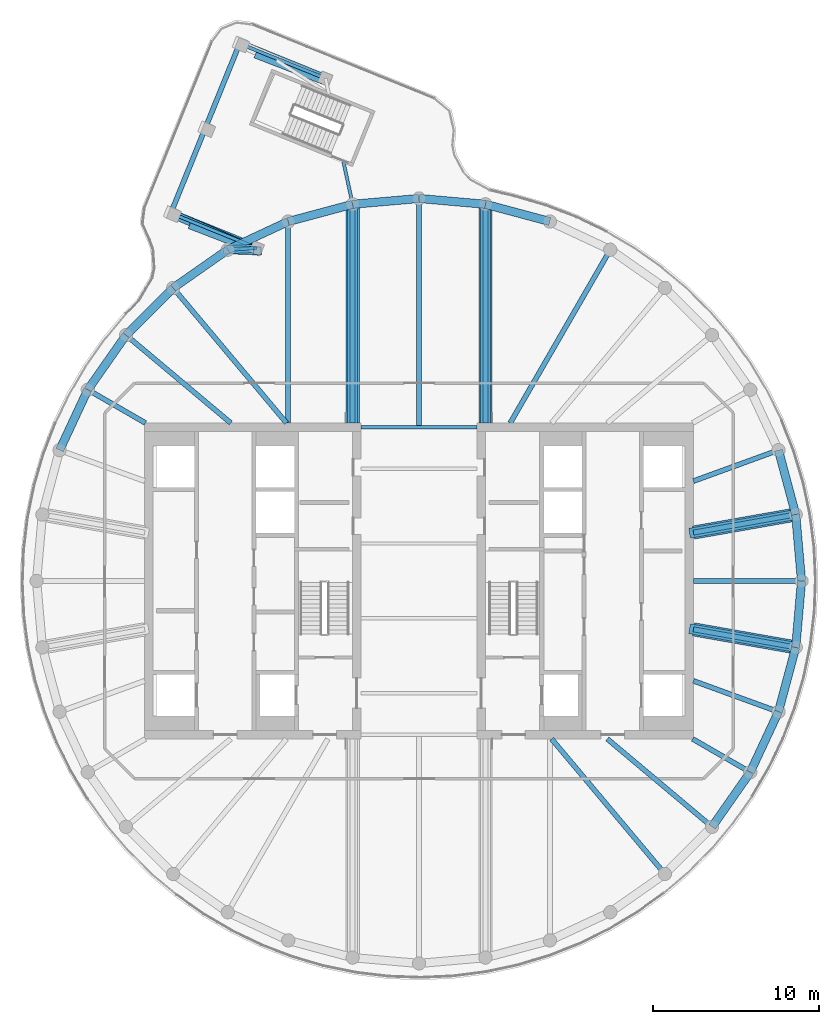
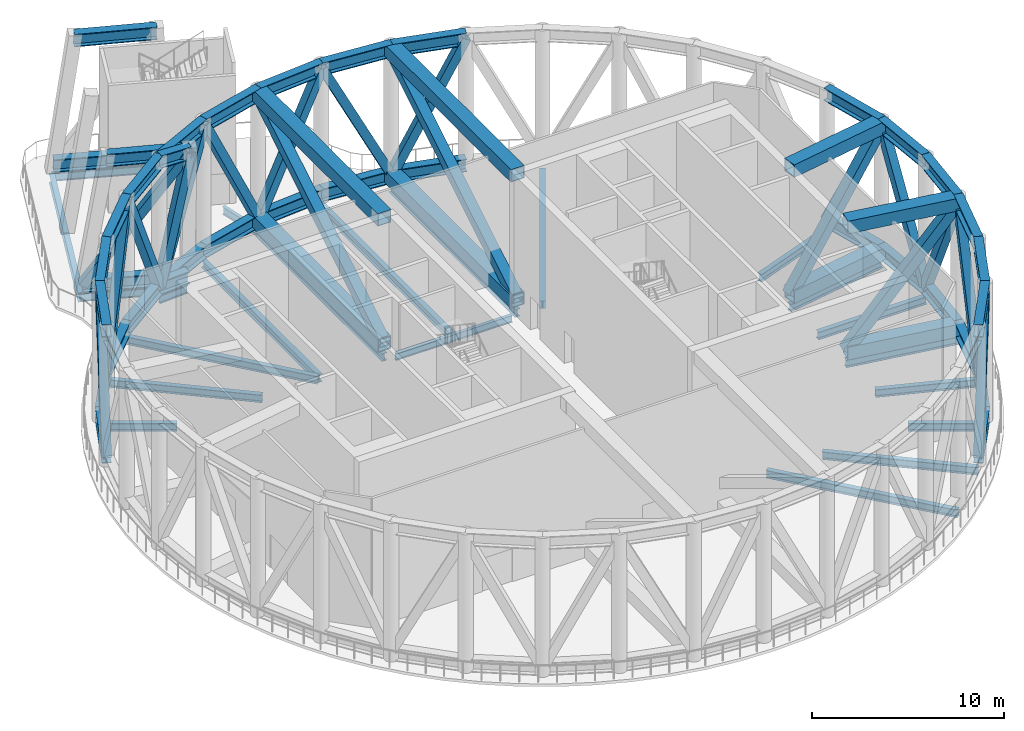
# One storey, part 2 of 10: 65 members, 23 beams.
"""IFC4 building model written with IfcOpenShell, lengths in metres."""

from ifc_helpers import new_model, si_unit, direction, frame, origin, origin_2d, place, context, subcontext, project, spatial, hollow_rectangle, i_section, extrude, material, material_profile, profile_set, type_object, element, save


model = new_model("IFC4")

# Units and contexts
model_context = context("Model", 3, precision=1e-05, world=origin(), true_north=direction((0.0, 1.0)))
body_context = subcontext(model_context, "Body", "Model", "MODEL_VIEW")
ifc_project = project(units=[si_unit("LENGTHUNIT", "METRE"), si_unit("AREAUNIT", "SQUARE_METRE"), si_unit("VOLUMEUNIT", "CUBIC_METRE"), si_unit("PLANEANGLEUNIT", "RADIAN"), si_unit("MASSUNIT", "GRAM", prefix="KILO")], contexts=[model_context])

# Site, building, storey
site_placement = place(None, origin())
site = spatial("IfcSite", under=ifc_project, at=site_placement, CompositionType="ELEMENT")
building_placement = place(site_placement, origin())
building = spatial("IfcBuilding", under=site, at=building_placement, Name="Tamarind Cross Interchange Tower", CompositionType="ELEMENT")
storey_placement = place(building_placement, frame((0.0, 0.0, 278.39990234375)))
storey = spatial("IfcBuildingStorey", under=building, at=storey_placement, Name="L71", CompositionType="ELEMENT", Elevation=278.39990234375)

# Beams
ifc_material_1 = material(Name="Steel Q355B", Category="steel")
ifc_material_profile_1 = material_profile(ifc_material_1, i_section(OverallWidth=0.300048828125, OverallDepth=0.488037109375, WebThickness=0.010986328125, FlangeThickness=0.01806640625, FilletRadius=0.01806640625, at=origin_2d()), Name="HM 488x300x11x18")
ifc_profile_set_1 = profile_set([ifc_material_profile_1], Name="Steel Q355B")
beam_type_1 = type_object("IfcBeamType", Name="Composite beam HM 488x300x11x18 Q355B", PredefinedType="BEAM", material=ifc_profile_set_1)
beam_1_placement = place(storey_placement, frame((23.0, 0.0, -0.423828125), z_axis=(-1.0, 0.0, 0.0), x_axis=(0.0, -1.0, 0.0)))
element("IfcBeam", 1, at=beam_1_placement, inside=storey, type_object=beam_type_1, Name="Beam HH00", PredefinedType="BEAM", context=body_context, shape_type="SweptSolid", body=[
    extrude(i_section(OverallWidth=0.300048828125, OverallDepth=0.488037109375, WebThickness=0.010986328125, FlangeThickness=0.01806640625, FilletRadius=0.01806640625, at=origin_2d()), origin(), (0.0, 0.0, 1.0), 6.5),
])
beam_2_placement = place(storey_placement, frame((22.650634765625, 3.993896484375, -0.423828125), z_axis=(-0.984809127561, -0.173640382036, 0.0), x_axis=(0.173640382036, -0.984809127561, 0.0)))
element("IfcBeam", 2, at=beam_2_placement, inside=storey, type_object=beam_type_1, Name="Beam HH01", PredefinedType="BEAM", context=body_context, shape_type="SweptSolid", body=[
    extrude(i_section(OverallWidth=0.300048828125, OverallDepth=0.488037109375, WebThickness=0.010986328125, FlangeThickness=0.01806640625, FilletRadius=0.01806640625, at=origin_2d()), origin(), (0.0, 0.0, 1.0), 6.24560546875),
])
beam_3_placement = place(storey_placement, frame((21.613037109375, 7.866455078125, -0.423828125), z_axis=(-0.939701685589, -0.341995236956, 0.0), x_axis=(0.341995236956, -0.939701685589, 0.0)))
element("IfcBeam", 3, at=beam_3_placement, inside=storey, type_object=beam_type_1, Name="Beam HH02", PredefinedType="BEAM", context=body_context, shape_type="SweptSolid", body=[
    extrude(i_section(OverallWidth=0.300048828125, OverallDepth=0.488037109375, WebThickness=0.010986328125, FlangeThickness=0.01806640625, FilletRadius=0.01806640625, at=origin_2d()), origin(), (0.0, 0.0, 1.0), 5.441162109375),
])
beam_4_placement = place(storey_placement, frame((11.5, 19.918701171875, -0.423828125), z_axis=(-0.499993565836, -0.866029118519, 0.0), x_axis=(0.866029118519, -0.499993565836, 0.0)))
element("IfcBeam", 4, at=beam_4_placement, inside=storey, type_object=beam_type_1, Name="Beam HH06", PredefinedType="BEAM", context=body_context, shape_type="SweptSolid", body=[
    extrude(i_section(OverallWidth=0.300048828125, OverallDepth=0.488037109375, WebThickness=0.010986328125, FlangeThickness=0.01806640625, FilletRadius=0.01806640625, at=origin_2d()), origin(), (0.0, 0.0, 1.0), 12.030517578125),
])
beam_5_placement = place(storey_placement, frame((3.993896484375, 22.650634765625, -0.423828125), z_axis=(0.0, -1.0, 0.0), x_axis=(1.0, 0.0, 0.0)))
element("IfcBeam", 5, at=beam_5_placement, inside=storey, type_object=beam_type_1, Name="Beam HH08", PredefinedType="BEAM", context=body_context, shape_type="SweptSolid", body=[
    extrude(i_section(OverallWidth=0.300048828125, OverallDepth=0.488037109375, WebThickness=0.010986328125, FlangeThickness=0.01806640625, FilletRadius=0.01806640625, at=origin_2d()), origin(), (0.0, 0.0, 1.0), 13.150634765625),
])
beam_6_placement = place(storey_placement, frame((0.0, 23.0, -0.423828125), z_axis=(0.0, -1.0, 0.0), x_axis=(1.0, 0.0, 0.0)))
element("IfcBeam", 6, at=beam_6_placement, inside=storey, type_object=beam_type_1, Name="Beam HH09", PredefinedType="BEAM", context=body_context, shape_type="SweptSolid", body=[
    extrude(i_section(OverallWidth=0.300048828125, OverallDepth=0.488037109375, WebThickness=0.010986328125, FlangeThickness=0.01806640625, FilletRadius=0.01806640625, at=origin_2d()), origin(), (0.0, 0.0, 1.0), 13.75),
])
beam_7_placement = place(storey_placement, frame((-3.993896484375, 22.650634765625, -0.423828125), z_axis=(0.0, -1.0, 0.0), x_axis=(1.0, 0.0, 0.0)))
element("IfcBeam", 7, at=beam_7_placement, inside=storey, type_object=beam_type_1, Name="Beam HH10", PredefinedType="BEAM", context=body_context, shape_type="SweptSolid", body=[
    extrude(i_section(OverallWidth=0.300048828125, OverallDepth=0.488037109375, WebThickness=0.010986328125, FlangeThickness=0.01806640625, FilletRadius=0.01806640625, at=origin_2d()), origin(), (0.0, 0.0, 1.0), 13.150634765625),
])
beam_8_placement = place(storey_placement, frame((-7.866455078125, 21.613037109375, -0.423828125), z_axis=(0.0, -1.0, 0.0), x_axis=(1.0, 0.0, 0.0)))
element("IfcBeam", 8, at=beam_8_placement, inside=storey, type_object=beam_type_1, Name="Beam HH11", PredefinedType="BEAM", context=body_context, shape_type="SweptSolid", body=[
    extrude(i_section(OverallWidth=0.300048828125, OverallDepth=0.488037109375, WebThickness=0.010986328125, FlangeThickness=0.01806640625, FilletRadius=0.01806640625, at=origin_2d()), origin(), (0.0, 0.0, 1.0), 12.113037109375),
])
beam_9_placement = place(storey_placement, frame((-14.7841796875, 17.619140625, -0.423828125), z_axis=(0.642786293979, -0.766045547127, 0.0), x_axis=(0.766045547127, 0.642786293979, 0.0)))
element("IfcBeam", 9, at=beam_9_placement, inside=storey, type_object=beam_type_1, Name="Beam HH13", PredefinedType="BEAM", context=body_context, shape_type="SweptSolid", body=[
    extrude(i_section(OverallWidth=0.300048828125, OverallDepth=0.488037109375, WebThickness=0.010986328125, FlangeThickness=0.01806640625, FilletRadius=0.01806640625, at=origin_2d()), origin(), (0.0, 0.0, 1.0), 10.598876953125),
])
beam_10_placement = place(storey_placement, frame((-17.619140625, 14.7841796875, -0.423828125), z_axis=(0.766040580814, -0.642792212574, 0.0), x_axis=(0.642792212574, 0.766040580814, 0.0)))
element("IfcBeam", 10, at=beam_10_placement, inside=storey, type_object=beam_type_1, Name="Beam HH14", PredefinedType="BEAM", context=body_context, shape_type="SweptSolid", body=[
    extrude(i_section(OverallWidth=0.300048828125, OverallDepth=0.488037109375, WebThickness=0.010986328125, FlangeThickness=0.01806640625, FilletRadius=0.01806640625, at=origin_2d()), origin(), (0.0, 0.0, 1.0), 8.220703125),
])
beam_11_placement = place(storey_placement, frame((-19.918701171875, 11.5, -0.423828125), z_axis=(0.866026010844, -0.49999894854, 0.0), x_axis=(0.49999894854, 0.866026010844, 0.0)))
element("IfcBeam", 11, at=beam_11_placement, inside=storey, type_object=beam_type_1, Name="Beam HH15", PredefinedType="BEAM", context=body_context, shape_type="SweptSolid", body=[
    extrude(i_section(OverallWidth=0.300048828125, OverallDepth=0.488037109375, WebThickness=0.010986328125, FlangeThickness=0.01806640625, FilletRadius=0.01806640625, at=origin_2d()), origin(), (0.0, 0.0, 1.0), 4.0),
])
beam_12_placement = place(storey_placement, frame((14.7841796875, -17.619140625, -0.423828125), z_axis=(-0.642786293979, 0.766045547127, 0.0), x_axis=(-0.766045547127, -0.642786293979, 0.0)))
element("IfcBeam", 12, at=beam_12_placement, inside=storey, type_object=beam_type_1, Name="Beam HH31", PredefinedType="BEAM", context=body_context, shape_type="SweptSolid", body=[
    extrude(i_section(OverallWidth=0.300048828125, OverallDepth=0.488037109375, WebThickness=0.010986328125, FlangeThickness=0.01806640625, FilletRadius=0.01806640625, at=origin_2d()), origin(), (0.0, 0.0, 1.0), 10.598876953125),
])
beam_13_placement = place(storey_placement, frame((17.619140625, -14.7841796875, -0.423828125), z_axis=(-0.766040580814, 0.642792212574, 0.0), x_axis=(-0.642792212574, -0.766040580814, 0.0)))
element("IfcBeam", 13, at=beam_13_placement, inside=storey, type_object=beam_type_1, Name="Beam HH32", PredefinedType="BEAM", context=body_context, shape_type="SweptSolid", body=[
    extrude(i_section(OverallWidth=0.300048828125, OverallDepth=0.488037109375, WebThickness=0.010986328125, FlangeThickness=0.01806640625, FilletRadius=0.01806640625, at=origin_2d()), origin(), (0.0, 0.0, 1.0), 8.220703125),
])
beam_14_placement = place(storey_placement, frame((19.918701171875, -11.5, -0.423828125), z_axis=(-0.866026010844, 0.49999894854, 0.0), x_axis=(-0.49999894854, -0.866026010844, 0.0)))
element("IfcBeam", 14, at=beam_14_placement, inside=storey, type_object=beam_type_1, Name="Beam HH33", PredefinedType="BEAM", context=body_context, shape_type="SweptSolid", body=[
    extrude(i_section(OverallWidth=0.300048828125, OverallDepth=0.488037109375, WebThickness=0.010986328125, FlangeThickness=0.01806640625, FilletRadius=0.01806640625, at=origin_2d()), origin(), (0.0, 0.0, 1.0), 4.0),
])
beam_15_placement = place(storey_placement, frame((21.613037109375, -7.866455078125, -0.423828125), z_axis=(-0.939701685589, 0.341995236956, 0.0), x_axis=(-0.341995236956, -0.939701685589, 0.0)))
element("IfcBeam", 15, at=beam_15_placement, inside=storey, type_object=beam_type_1, Name="Beam HH34", PredefinedType="BEAM", context=body_context, shape_type="SweptSolid", body=[
    extrude(i_section(OverallWidth=0.300048828125, OverallDepth=0.488037109375, WebThickness=0.010986328125, FlangeThickness=0.01806640625, FilletRadius=0.01806640625, at=origin_2d()), origin(), (0.0, 0.0, 1.0), 5.441162109375),
])
beam_16_placement = place(storey_placement, frame((22.650634765625, -3.993896484375, -0.423828125), z_axis=(-0.984809127561, 0.173640382036, 0.0), x_axis=(-0.173640382036, -0.984809127561, 0.0)))
element("IfcBeam", 16, at=beam_16_placement, inside=storey, type_object=beam_type_1, Name="Beam HH35", PredefinedType="BEAM", context=body_context, shape_type="SweptSolid", body=[
    extrude(i_section(OverallWidth=0.300048828125, OverallDepth=0.488037109375, WebThickness=0.010986328125, FlangeThickness=0.01806640625, FilletRadius=0.01806640625, at=origin_2d()), origin(), (0.0, 0.0, 1.0), 6.24560546875),
])
ifc_material_profile_2 = material_profile(ifc_material_1, i_section(OverallWidth=0.300048828125, OverallDepth=0.58203125, WebThickness=0.011962890625, FlangeThickness=0.01708984375, FilletRadius=0.01806640625, at=origin_2d()), Name="HM 582x300x12x17")
ifc_profile_set_2 = profile_set([ifc_material_profile_2], Name="Steel Q355B")
beam_type_2 = type_object("IfcBeamType", Name="Composite beam HM 582x300x12x17 Q355B", PredefinedType="BEAM", material=ifc_profile_set_2)
for number, where, z_axis, x_axis, name in (
    (17, (-10.788330078125, 32.313720703125, -0.470947265625), (-0.376016253668, -0.926613067562, 0.0), (0.926613067562, -0.376016253668, 0.0), "Beam N-tip0"),
    (18, (-12.8564453125, 27.21728515625, -0.470947265625), (-0.37606983293, -0.926591323486, 0.0), (0.926591323486, -0.37606983293, 0.0), "Beam N-tip1"),
):
    element("IfcBeam", number, at=place(storey_placement, frame(where, z_axis=z_axis, x_axis=x_axis)), inside=storey, type_object=beam_type_2, Name=name, PredefinedType="BEAM", context=body_context, shape_type="SweptSolid", body=[
        extrude(i_section(OverallWidth=0.300048828125, OverallDepth=0.58203125, WebThickness=0.011962890625, FlangeThickness=0.01708984375, FilletRadius=0.01806640625, at=origin_2d()), origin(), (0.0, 0.0, 1.0), 5.5),
    ])
ifc_material_profile_3 = material_profile(ifc_material_1, i_section(OverallWidth=0.198974609375, OverallDepth=0.446044921875, WebThickness=0.008056640625, FlangeThickness=0.011962890625, FilletRadius=0.012939453125, at=origin_2d()), Name="HN 446x199x8x12")
ifc_profile_set_3 = profile_set([ifc_material_profile_3], Name="Steel Q355B")
beam_type_3 = type_object("IfcBeamType", Name="Composite beam HN 446x199x8x12 Q355B", PredefinedType="BEAM", material=ifc_profile_set_3)
beam_17_placement = place(storey_placement, frame((-3.5, 9.25, -0.40283203125), z_axis=(1.0, 0.0, 0.0), x_axis=(0.0, 1.0, 0.0)))
element("IfcBeam", 19, at=beam_17_placement, inside=storey, type_object=beam_type_3, Name="Beam G9.25", PredefinedType="BEAM", context=body_context, shape_type="SweptSolid", body=[
    extrude(i_section(OverallWidth=0.198974609375, OverallDepth=0.446044921875, WebThickness=0.008056640625, FlangeThickness=0.011962890625, FilletRadius=0.012939453125, at=origin_2d()), origin(), (0.0, 0.0, 1.0), 7.0),
])
ifc_material_profile_4 = material_profile(ifc_material_1, i_section(OverallWidth=0.198974609375, OverallDepth=0.49609375, WebThickness=0.009033203125, FlangeThickness=0.013916015625, FilletRadius=0.012939453125, at=origin_2d()), Name="HN 496x199x9x14")
ifc_profile_set_4 = profile_set([ifc_material_profile_4], Name="Steel Q355B")
beam_type_4 = type_object("IfcBeamType", Name="Composite beam HN 496x199x9x14 Q355B", PredefinedType="BEAM", material=ifc_profile_set_4)
for number, where, z_axis, x_axis, name in (
    (20, (-10.788330078125, 32.313720703125, -0.427978515625), (0.926601565197, -0.376044597587, 0.0), (0.376044597587, 0.926601565197, 0.0), "Beam N-edgeem4"),
    (21, (-14.9248046875, 22.12109375, -0.427978515625), (0.926601565197, -0.376044597587, 0.0), (0.376044597587, 0.926601565197, 0.0), "Beam N-edgeep2"),
):
    element("IfcBeam", number, at=place(storey_placement, frame(where, z_axis=z_axis, x_axis=x_axis)), inside=storey, type_object=beam_type_4, Name=name, PredefinedType="BEAM", context=body_context, shape_type="SweptSolid", body=[
        extrude(i_section(OverallWidth=0.198974609375, OverallDepth=0.49609375, WebThickness=0.009033203125, FlangeThickness=0.013916015625, FilletRadius=0.012939453125, at=origin_2d()), origin(), (0.0, 0.0, 1.0), 5.574951171875),
    ])
beam_18_placement = place(storey_placement, frame((-4.5537109375, 25.2509765625, -0.427978515625), z_axis=(0.210462961296, -0.977601831996, 0.0), x_axis=(0.977601831996, 0.210462961296, 0.0)))
element("IfcBeam", 22, at=beam_18_placement, inside=storey, type_object=beam_type_4, Name="Beam N-linkemt1", PredefinedType="BEAM", context=body_context, shape_type="SweptSolid", body=[
    extrude(i_section(OverallWidth=0.198974609375, OverallDepth=0.49609375, WebThickness=0.009033203125, FlangeThickness=0.013916015625, FilletRadius=0.012939453125, at=origin_2d()), origin(), (0.0, 0.0, 1.0), 2.659912109375),
])
beam_19_placement = place(storey_placement, frame((-9.759033203125, 20.024658203125, -0.427978515625), z_axis=(-0.998153096762, -0.060748624877, 0.0), x_axis=(0.060748624877, -0.998153096762, 0.0)))
element("IfcBeam", 23, at=beam_19_placement, inside=storey, type_object=beam_type_4, Name="Beam N-linkep", PredefinedType="BEAM", context=body_context, shape_type="SweptSolid", body=[
    extrude(i_section(OverallWidth=0.198974609375, OverallDepth=0.49609375, WebThickness=0.009033203125, FlangeThickness=0.013916015625, FilletRadius=0.012939453125, at=origin_2d()), origin(), (0.0, 0.0, 1.0), 1.744140625),
])

# Members
ifc_material_2 = material(Name="Steel Q420B", Category="steel")
ifc_material_profile_5 = material_profile(ifc_material_2, i_section(OverallWidth=0.5, OverallDepth=0.800048828125, WebThickness=0.030029296875, FlangeThickness=0.050048828125, at=origin_2d()), Name="BH 800x500x30x50")
ifc_profile_set_5 = profile_set([ifc_material_profile_5], Name="Steel Q420B")
member_type_1 = type_object("IfcMemberType", Name="Truss chord BH 800x500x30x50 Q420B", PredefinedType="CHORD", material=ifc_profile_set_5)
for number, where, z_axis, x_axis, name in (
    (24, (23.0, 0.0, 8.400146484375), (-0.087142021558, 0.996195898445, 0.0), (-0.996195898445, -0.087142021558, 0.0), "Belt truss ring top H00"),
    (25, (23.0, 0.0, 0.400146484375), (-0.087142021558, 0.996195898445, 0.0), (-0.996195898445, -0.087142021558, 0.0), "Belt truss ring bottom H00"),
    (26, (22.650634765625, 3.993896484375, 8.400146484375), (-0.258807108475, 0.96592902462, 0.0), (-0.96592902462, -0.258807108475, 0.0), "Belt truss ring top H01"),
    (27, (22.650634765625, 3.993896484375, 0.400146484375), (-0.258807108475, 0.96592902462, 0.0), (-0.96592902462, -0.258807108475, 0.0), "Belt truss ring bottom H01"),
    (28, (7.866455078125, 21.613037109375, 8.400146484375), (-0.96592902462, 0.258807108475, 0.0), (-0.258807108475, -0.96592902462, 0.0), "Belt truss ring top H07"),
    (29, (7.866455078125, 21.613037109375, 0.400146484375), (-0.96592902462, 0.258807108475, 0.0), (-0.258807108475, -0.96592902462, 0.0), "Belt truss ring bottom H07"),
    (30, (3.993896484375, 22.650634765625, 8.400146484375), (-0.996195898445, 0.087142021558, 0.0), (-0.087142021558, -0.996195898445, 0.0), "Belt truss ring top H08"),
    (31, (3.993896484375, 22.650634765625, 0.400146484375), (-0.996195898445, 0.087142021558, 0.0), (-0.087142021558, -0.996195898445, 0.0), "Belt truss ring bottom H08"),
    (32, (0.0, 23.0, 8.400146484375), (-0.996195898445, -0.087142021558, 0.0), (0.087142021558, -0.996195898445, 0.0), "Belt truss ring top H09"),
    (33, (0.0, 23.0, 0.400146484375), (-0.996195898445, -0.087142021558, 0.0), (0.087142021558, -0.996195898445, 0.0), "Belt truss ring bottom H09"),
    (34, (-3.993896484375, 22.650634765625, 8.400146484375), (-0.96592902462, -0.258807108475, 0.0), (0.258807108475, -0.96592902462, 0.0), "Belt truss ring top H10"),
    (35, (-3.993896484375, 22.650634765625, 0.400146484375), (-0.96592902462, -0.258807108475, 0.0), (0.258807108475, -0.96592902462, 0.0), "Belt truss ring bottom H10"),
):
    element("IfcMember", number, at=place(storey_placement, frame(where, z_axis=z_axis, x_axis=x_axis)), inside=storey, type_object=member_type_1, Name=name, PredefinedType="CHORD", context=body_context, shape_type="SweptSolid", body=[
        extrude(i_section(OverallWidth=0.5, OverallDepth=0.800048828125, WebThickness=0.030029296875, FlangeThickness=0.050048828125, at=origin_2d()), origin(), (0.0, 0.0, 1.0), 4.009033203125),
    ])
for number, where, z_axis, x_axis, name in (
    (36, (-7.866455078125, 21.613037109375, 8.400146484375), (-0.906309113636, -0.422615416827, 0.0), (0.422615416827, -0.906309113636, 0.0), "Belt truss ring top H11"),
    (37, (-7.866455078125, 21.613037109375, 0.400146484375), (-0.906309113636, -0.422615416827, 0.0), (0.422615416827, -0.906309113636, 0.0), "Belt truss ring bottom H11"),
    (38, (-11.5, 19.918701171875, 8.400146484375), (-0.819157531998, -0.573568599011, 0.0), (0.573568599011, -0.819157531998, 0.0), "Belt truss ring top H12"),
    (39, (-11.5, 19.918701171875, 0.400146484375), (-0.819157531998, -0.573568599011, 0.0), (0.573568599011, -0.819157531998, 0.0), "Belt truss ring bottom H12"),
    (40, (-14.7841796875, 17.619140625, 8.400146484375), (-0.707106781187, -0.707106781187, 0.0), (0.707106781187, -0.707106781187, 0.0), "Belt truss ring top H13"),
    (41, (-14.7841796875, 17.619140625, 0.400146484375), (-0.707106781187, -0.707106781187, 0.0), (0.707106781187, -0.707106781187, 0.0), "Belt truss ring bottom H13"),
    (42, (-17.619140625, 14.7841796875, 8.400146484375), (-0.573568599011, -0.819157531998, 0.0), (0.819157531998, -0.573568599011, 0.0), "Belt truss ring top H14"),
    (43, (-17.619140625, 14.7841796875, 0.400146484375), (-0.573568599011, -0.819157531998, 0.0), (0.819157531998, -0.573568599011, 0.0), "Belt truss ring bottom H14"),
    (44, (-19.918701171875, 11.5, 8.400146484375), (-0.422615416827, -0.906309113636, 0.0), (0.906309113636, -0.422615416827, 0.0), "Belt truss ring top H15"),
    (45, (-19.918701171875, 11.5, 0.400146484375), (-0.422615416827, -0.906309113636, 0.0), (0.906309113636, -0.422615416827, 0.0), "Belt truss ring bottom H15"),
    (46, (17.619140625, -14.7841796875, 8.400146484375), (0.573568599011, 0.819157531998, 0.0), (-0.819157531998, 0.573568599011, 0.0), "Belt truss ring top H32"),
    (47, (17.619140625, -14.7841796875, 0.400146484375), (0.573568599011, 0.819157531998, 0.0), (-0.819157531998, 0.573568599011, 0.0), "Belt truss ring bottom H32"),
    (48, (19.918701171875, -11.5, 8.400146484375), (0.422615416827, 0.906309113636, 0.0), (-0.906309113636, 0.422615416827, 0.0), "Belt truss ring top H33"),
    (49, (19.918701171875, -11.5, 0.400146484375), (0.422615416827, 0.906309113636, 0.0), (-0.906309113636, 0.422615416827, 0.0), "Belt truss ring bottom H33"),
):
    element("IfcMember", number, at=place(storey_placement, frame(where, z_axis=z_axis, x_axis=x_axis)), inside=storey, type_object=member_type_1, Name=name, PredefinedType="CHORD", context=body_context, shape_type="SweptSolid", body=[
        extrude(i_section(OverallWidth=0.5, OverallDepth=0.800048828125, WebThickness=0.030029296875, FlangeThickness=0.050048828125, at=origin_2d()), origin(), (0.0, 0.0, 1.0), 4.00927734375),
    ])
for number, where, z_axis, x_axis, name in (
    (50, (21.613037109375, -7.866455078125, 8.400146484375), (0.258807108475, 0.96592902462, 0.0), (-0.96592902462, 0.258807108475, 0.0), "Belt truss ring top H34"),
    (51, (21.613037109375, -7.866455078125, 0.400146484375), (0.258807108475, 0.96592902462, 0.0), (-0.96592902462, 0.258807108475, 0.0), "Belt truss ring bottom H34"),
    (52, (22.650634765625, -3.993896484375, 8.400146484375), (0.087142021558, 0.996195898445, 0.0), (-0.996195898445, 0.087142021558, 0.0), "Belt truss ring top H35"),
    (53, (22.650634765625, -3.993896484375, 0.400146484375), (0.087142021558, 0.996195898445, 0.0), (-0.996195898445, 0.087142021558, 0.0), "Belt truss ring bottom H35"),
):
    element("IfcMember", number, at=place(storey_placement, frame(where, z_axis=z_axis, x_axis=x_axis)), inside=storey, type_object=member_type_1, Name=name, PredefinedType="CHORD", context=body_context, shape_type="SweptSolid", body=[
        extrude(i_section(OverallWidth=0.5, OverallDepth=0.800048828125, WebThickness=0.030029296875, FlangeThickness=0.050048828125, at=origin_2d()), origin(), (0.0, 0.0, 1.0), 4.009033203125),
    ])
member_1_placement = place(storey_placement, frame((-13.793701171875, 21.426025390625, 8.400146484375), z_axis=(0.93292675736, -0.360066195862, 0.0), x_axis=(0.360066195862, 0.93292675736, 0.0)))
element("IfcMember", 54, at=member_1_placement, inside=storey, type_object=member_type_1, Name="Belt truss arm Nep top", PredefinedType="CHORD", context=body_context, shape_type="SweptSolid", body=[
    extrude(i_section(OverallWidth=0.5, OverallDepth=0.800048828125, WebThickness=0.030029296875, FlangeThickness=0.050048828125, at=origin_2d()), origin(), (0.0, 0.0, 1.0), 4.36328125),
])
member_2_placement = place(storey_placement, frame((-14.84814453125, 22.073974609375, 0.400146484375), z_axis=(0.926951597798, -0.375180936802, 0.0), x_axis=(0.375180936802, 0.926951597798, 0.0)))
element("IfcMember", 55, at=member_2_placement, inside=storey, type_object=member_type_1, Name="Belt truss arm Nep bottom", PredefinedType="CHORD", context=body_context, shape_type="SweptSolid", body=[
    extrude(i_section(OverallWidth=0.5, OverallDepth=0.800048828125, WebThickness=0.030029296875, FlangeThickness=0.050048828125, at=origin_2d()), origin(), (0.0, 0.0, 1.0), 5.49267578125),
])
member_3_placement = place(storey_placement, frame((-9.72314453125, 19.85498046875, 8.400146484375), z_axis=(-0.999357595949, 0.035838462839, 0.0), x_axis=(-0.035838462839, -0.999357595949, 0.0)))
element("IfcMember", 56, at=member_3_placement, inside=storey, type_object=member_type_1, Name="Belt truss arm Nep top", PredefinedType="CHORD", context=body_context, shape_type="SweptSolid", body=[
    extrude(i_section(OverallWidth=0.5, OverallDepth=0.800048828125, WebThickness=0.030029296875, FlangeThickness=0.050048828125, at=origin_2d()), origin(), (0.0, 0.0, 1.0), 1.778076171875),
])
member_4_placement = place(storey_placement, frame((-9.756591796875, 20.01318359375, 0.400146484375), z_axis=(-0.99853472712, -0.054114681332, 0.0), x_axis=(0.054114681332, -0.99853472712, 0.0)))
element("IfcMember", 57, at=member_4_placement, inside=storey, type_object=member_type_1, Name="Belt truss arm Nep bottom", PredefinedType="CHORD", context=body_context, shape_type="SweptSolid", body=[
    extrude(i_section(OverallWidth=0.5, OverallDepth=0.800048828125, WebThickness=0.030029296875, FlangeThickness=0.050048828125, at=origin_2d()), origin(), (0.0, 0.0, 1.0), 1.745849609375),
])
member_5_placement = place(storey_placement, frame((-9.835693359375, 31.689208984375, 8.400146484375), z_axis=(0.932934011141, -0.360047400845, 0.0), x_axis=(0.360047400845, 0.932934011141, 0.0)))
element("IfcMember", 58, at=member_5_placement, inside=storey, type_object=member_type_1, Name="Belt truss arm Nem top", PredefinedType="CHORD", context=body_context, shape_type="SweptSolid", body=[
    extrude(i_section(OverallWidth=0.5, OverallDepth=0.800048828125, WebThickness=0.030029296875, FlangeThickness=0.050048828125, at=origin_2d()), origin(), (0.0, 0.0, 1.0), 4.363525390625),
])
member_6_placement = place(storey_placement, frame((-10.723876953125, 32.271484375, 0.400146484375), z_axis=(0.926951597798, -0.375180936802, 0.0), x_axis=(0.375180936802, 0.926951597798, 0.0)))
element("IfcMember", 59, at=member_6_placement, inside=storey, type_object=member_type_1, Name="Belt truss arm Nem bottom", PredefinedType="CHORD", context=body_context, shape_type="SweptSolid", body=[
    extrude(i_section(OverallWidth=0.5, OverallDepth=0.800048828125, WebThickness=0.030029296875, FlangeThickness=0.050048828125, at=origin_2d()), origin(), (0.0, 0.0, 1.0), 5.49267578125),
])
ifc_material_profile_6 = material_profile(ifc_material_2, hollow_rectangle(XDim=0.800048828125, YDim=0.800048828125, WallThickness=0.050048828125, at=origin_2d()), Name="BOX 800x800x50")
ifc_profile_set_6 = profile_set([ifc_material_profile_6], Name="Steel Q420B")
member_type_2 = type_object("IfcMemberType", Name="Truss chord BOX 800x800x50 Q420B", PredefinedType="CHORD", material=ifc_profile_set_6)
for number, where, z_axis, x_axis, name in (
    (60, (16.5, 2.909423828125, 8.400146484375), (0.984809127561, 0.173640382036, 0.0), (-0.173640382036, 0.984809127561, 0.0), "Outrigger truss H01 top"),
    (61, (16.5, 2.909423828125, 0.400146484375), (0.984809127561, 0.173640382036, 0.0), (-0.173640382036, 0.984809127561, 0.0), "Outrigger truss H01 bottom"),
    (62, (16.5, -2.909423828125, 8.400146484375), (0.984809127561, -0.173640382036, 0.0), (0.173640382036, 0.984809127561, 0.0), "Outrigger truss H35 top"),
    (63, (16.5, -2.909423828125, 0.400146484375), (0.984809127561, -0.173640382036, 0.0), (0.173640382036, 0.984809127561, 0.0), "Outrigger truss H35 bottom"),
):
    element("IfcMember", number, at=place(storey_placement, frame(where, z_axis=z_axis, x_axis=x_axis)), inside=storey, type_object=member_type_2, Name=name, PredefinedType="CHORD", context=body_context, shape_type="SweptSolid", body=[
        extrude(hollow_rectangle(XDim=0.800048828125, YDim=0.800048828125, WallThickness=0.050048828125, at=origin_2d()), origin(), (0.0, 0.0, 1.0), 6.24560546875),
    ])
for number, where, z_axis, x_axis, name in (
    (64, (3.993896484375, 9.5, 8.400146484375), (0.0, 1.0, 0.0), (-1.0, 0.0, 0.0), "Outrigger truss H08 top"),
    (65, (3.993896484375, 9.5, 0.400146484375), (0.0, 1.0, 0.0), (-1.0, 0.0, 0.0), "Outrigger truss H08 bottom"),
    (66, (-3.993896484375, 9.5, 8.400146484375), (0.0, 1.0, 0.0), (-1.0, 0.0, 0.0), "Outrigger truss H10 top"),
    (67, (-3.993896484375, 9.5, 0.400146484375), (0.0, 1.0, 0.0), (-1.0, 0.0, 0.0), "Outrigger truss H10 bottom"),
):
    element("IfcMember", number, at=place(storey_placement, frame(where, z_axis=z_axis, x_axis=x_axis)), inside=storey, type_object=member_type_2, Name=name, PredefinedType="CHORD", context=body_context, shape_type="SweptSolid", body=[
        extrude(hollow_rectangle(XDim=0.800048828125, YDim=0.800048828125, WallThickness=0.050048828125, at=origin_2d()), origin(), (0.0, 0.0, 1.0), 13.150634765625),
    ])
ifc_material_profile_7 = material_profile(ifc_material_2, hollow_rectangle(XDim=0.5, YDim=0.5, WallThickness=0.030029296875, at=origin_2d()), Name="BOX 500x500x30")
ifc_profile_set_7 = profile_set([ifc_material_profile_7], Name="Steel Q420B")
member_type_3 = type_object("IfcMemberType", Name="Truss diagonal BOX 500x500x30 Q420B", PredefinedType="BRACE", material=ifc_profile_set_7)
for number, where, z_axis, x_axis, name in (
    (68, (23.0, 0.0, 0.400146484375), (-0.039042346961, 0.446326872071, 0.894017907209), (-0.996195898445, -0.087142021558, 0.0), "Belt truss ring diagonal H00"),
    (69, (22.650634765625, 3.993896484375, 8.400146484375), (-0.115953821718, 0.432766945905, -0.894017607075), (-0.96592902462, -0.258807108475, 0.0), "Belt truss ring diagonal H01"),
    (70, (7.866455078125, 21.613037109375, 8.400146484375), (-0.432766945905, 0.115953821718, -0.894017607075), (-0.258807108475, -0.96592902462, 0.0), "Belt truss ring diagonal H07"),
    (71, (3.993896484375, 22.650634765625, 0.400146484375), (-0.446326872071, 0.039042346961, 0.894017907209), (-0.087142021558, -0.996195898445, 0.0), "Belt truss ring diagonal H08"),
    (72, (0.0, 23.0, 8.400146484375), (-0.446326872071, -0.039042346961, -0.894017907209), (0.087142021558, -0.996195898445, 0.0), "Belt truss ring diagonal H09"),
    (73, (-3.993896484375, 22.650634765625, 0.400146484375), (-0.432766945905, -0.115953821718, 0.894017607075), (0.258807108475, -0.96592902462, 0.0), "Belt truss ring diagonal H10"),
    (74, (-7.866455078125, 21.613037109375, 8.400146484375), (-0.406056378311, -0.189345647079, -0.89401702644), (0.422615416827, -0.906309113636, 0.0), "Belt truss ring diagonal H11"),
    (75, (-11.5, 19.918701171875, 0.400146484375), (-0.367013171549, -0.25698015632, 0.894014838337), (0.573568599011, -0.819157531998, 0.0), "Belt truss ring diagonal H12"),
    (76, (-14.7841796875, 17.619140625, 8.400146484375), (-0.316811762996, -0.316811762996, -0.89401376592), (0.707106781187, -0.707106781187, 0.0), "Belt truss ring diagonal H13"),
    (77, (-17.619140625, 14.7841796875, 0.400146484375), (-0.25698015632, -0.367013171549, 0.894014838337), (0.819157531998, -0.573568599011, 0.0), "Belt truss ring diagonal H14"),
    (78, (-19.918701171875, 11.5, 8.400146484375), (-0.189345647079, -0.406056378311, -0.89401702644), (0.906309113636, -0.422615416827, 0.0), "Belt truss ring diagonal H15"),
    (79, (17.619140625, -14.7841796875, 0.400146484375), (0.25698015632, 0.367013171549, 0.894014838337), (-0.819157531998, 0.573568599011, 0.0), "Belt truss ring diagonal H32"),
    (80, (19.918701171875, -11.5, 8.400146484375), (0.189345647079, 0.406056378311, -0.89401702644), (-0.906309113636, 0.422615416827, 0.0), "Belt truss ring diagonal H33"),
    (81, (21.613037109375, -7.866455078125, 0.400146484375), (0.115953821718, 0.432766945905, 0.894017607075), (-0.96592902462, 0.258807108475, 0.0), "Belt truss ring diagonal H34"),
    (82, (22.650634765625, -3.993896484375, 8.400146484375), (0.039042346961, 0.446326872071, -0.894017907209), (-0.996195898445, 0.087142021558, 0.0), "Belt truss ring diagonal H35"),
):
    element("IfcMember", number, at=place(storey_placement, frame(where, z_axis=z_axis, x_axis=x_axis)), inside=storey, type_object=member_type_3, Name=name, PredefinedType="BRACE", context=body_context, shape_type="SweptSolid", body=[
        extrude(hollow_rectangle(XDim=0.5, YDim=0.5, WallThickness=0.030029296875, at=origin_2d()), origin(), (0.0, 0.0, 1.0), 8.948486328125),
    ])
member_7_placement = place(storey_placement, frame((-14.84814453125, 22.073974609375, 0.400146484375), z_axis=(0.525290092992, -0.227437197752, 0.819965023207), x_axis=(0.397330159356, 0.917675729474, 0.0)))
element("IfcMember", 83, at=member_7_placement, inside=storey, type_object=member_type_3, Name="Belt truss arm Nep diagonal", PredefinedType="BRACE", context=body_context, shape_type="SweptSolid", body=[
    extrude(hollow_rectangle(XDim=0.5, YDim=0.5, WallThickness=0.030029296875, at=origin_2d()), origin(), (0.0, 0.0, 1.0), 9.756591796875),
])
member_8_placement = place(storey_placement, frame((-9.72314453125, 19.85498046875, 8.400146484375), z_axis=(-0.216816652505, 0.007775370473, -0.976181378029), x_axis=(-0.035838462839, -0.999357595949, 0.0)))
element("IfcMember", 84, at=member_8_placement, inside=storey, type_object=member_type_3, Name="Belt truss arm Nep diagonal", PredefinedType="BRACE", context=body_context, shape_type="SweptSolid", body=[
    extrude(hollow_rectangle(XDim=0.5, YDim=0.5, WallThickness=0.030029296875, at=origin_2d()), origin(), (0.0, 0.0, 1.0), 8.1953125),
])
ifc_material_profile_8 = material_profile(ifc_material_2, hollow_rectangle(XDim=0.60009765625, YDim=0.60009765625, WallThickness=0.0400390625, at=origin_2d()), Name="BOX 600x600x40")
ifc_profile_set_8 = profile_set([ifc_material_profile_8], Name="Steel Q420B")
member_type_4 = type_object("IfcMemberType", Name="Truss diagonal BOX 600x600x40 Q420B", PredefinedType="BRACE", material=ifc_profile_set_8)
for number, where, z_axis, x_axis, name in (
    (85, (16.5, 2.909423828125, 0.400146484375), (0.606021256305, 0.106852952031, 0.788238976167), (-0.173640382036, 0.984809127561, 0.0), "Outrigger truss H01 diagonal"),
    (86, (16.5, -2.909423828125, 0.400146484375), (0.606021256305, -0.106852952031, 0.788238976167), (0.173640382036, 0.984809127561, 0.0), "Outrigger truss H35 diagonal"),
):
    element("IfcMember", number, at=place(storey_placement, frame(where, z_axis=z_axis, x_axis=x_axis)), inside=storey, type_object=member_type_4, Name=name, PredefinedType="BRACE", context=body_context, shape_type="SweptSolid", body=[
        extrude(hollow_rectangle(XDim=0.60009765625, YDim=0.60009765625, WallThickness=0.0400390625, at=origin_2d()), origin(), (0.0, 0.0, 1.0), 10.149169921875),
    ])
for number, where, z_axis, x_axis, name in (
    (87, (3.993896484375, 9.5, 0.400146484375), (0.0, 0.854335124811, 0.519722516844), (-1.0, 0.0, 0.0), "Outrigger truss H08 diagonal"),
    (88, (-3.993896484375, 9.5, 0.400146484375), (0.0, 0.854335124811, 0.519722516844), (-1.0, 0.0, 0.0), "Outrigger truss H10 diagonal"),
):
    element("IfcMember", number, at=place(storey_placement, frame(where, z_axis=z_axis, x_axis=x_axis)), inside=storey, type_object=member_type_4, Name=name, PredefinedType="BRACE", context=body_context, shape_type="SweptSolid", body=[
        extrude(hollow_rectangle(XDim=0.60009765625, YDim=0.60009765625, WallThickness=0.0400390625, at=origin_2d()), origin(), (0.0, 0.0, 1.0), 15.392822265625),
    ])

save(model, "model.ifc")
